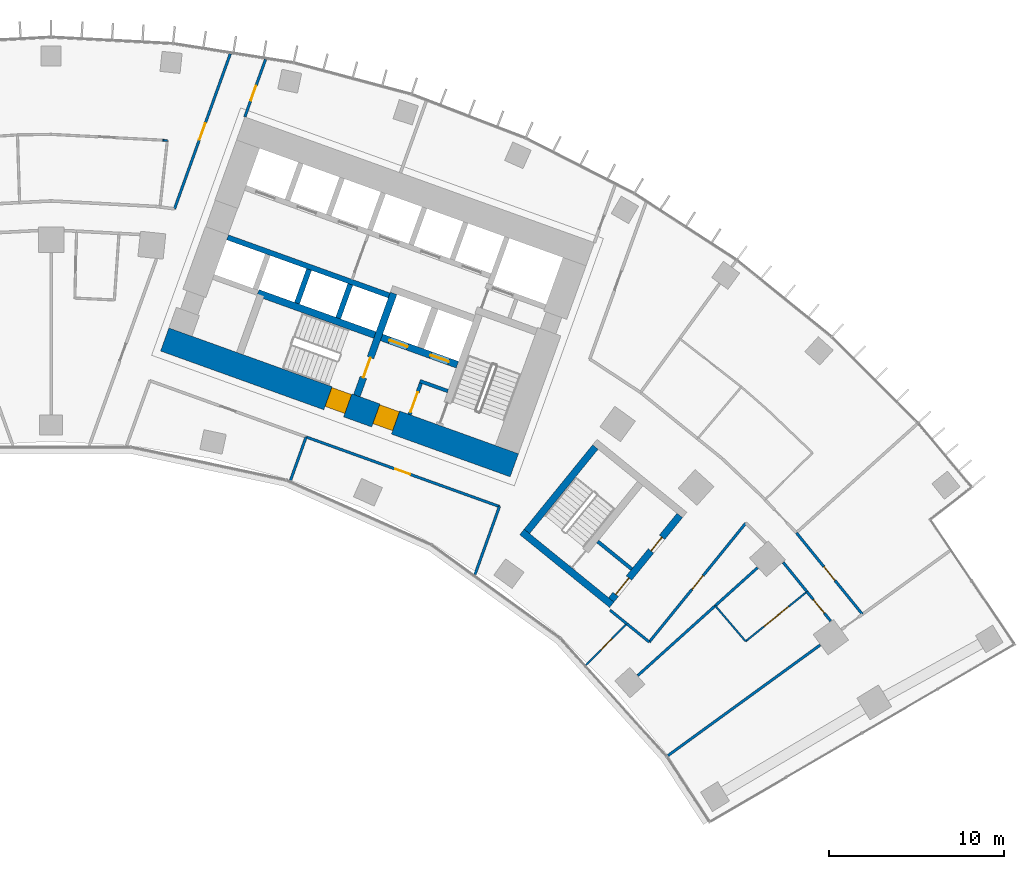
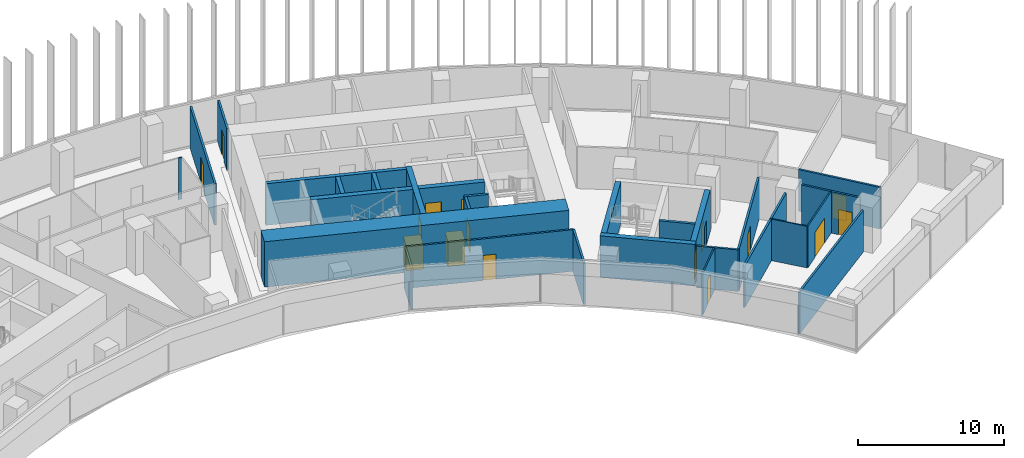
# One storey, part 19 of 23: 30 walls, 16 doors, 16 openings.
"""IFC4 building model written with IfcOpenShell, lengths in metres."""

from ifc_helpers import new_model, si_unit, direction, frame, frame_2d, origin, place, context, subcontext, project, spatial, rectangle, extrude, material, layer, layer_set, type_object, element, fill, save


model = new_model("IFC4")

# Units and contexts
model_context = context("Model", 3, precision=1e-05, world=origin(), true_north=direction((0.0, 1.0)))
body_context = subcontext(model_context, "Body", "Model", "MODEL_VIEW")
ifc_project = project(units=[si_unit("LENGTHUNIT", "METRE"), si_unit("AREAUNIT", "SQUARE_METRE"), si_unit("VOLUMEUNIT", "CUBIC_METRE"), si_unit("PLANEANGLEUNIT", "RADIAN"), si_unit("MASSUNIT", "GRAM", prefix="KILO")], contexts=[model_context])

# Site, building, storey
site_placement = place(None, origin())
site = spatial("IfcSite", under=ifc_project, at=site_placement, CompositionType="ELEMENT")
building_placement = place(site_placement, origin())
building = spatial("IfcBuilding", under=site, at=building_placement, Name="Stone Belt Terrace Tower", CompositionType="ELEMENT")
storey_placement = place(building_placement, frame((0.0, 0.0, 98.39990234375)))
storey = spatial("IfcBuildingStorey", under=building, at=storey_placement, Name="L23", CompositionType="ELEMENT", Elevation=98.39990234375)

# Wall, openings, doors
ifc_material_1 = material(Name="Concrete B80", Category="concrete")
ifc_layer_1 = layer(ifc_material_1, 1.39990234375)
ifc_layer_set_1 = layer_set([ifc_layer_1], Name="Core wall 1400 B80")
wall_type_1 = type_object("IfcWallType", Name="Core wall 1400 B80", PredefinedType="SHEAR", material=ifc_layer_set_1)
wall_1_placement = place(storey_placement, frame((6.4833984375, 49.318115234375, 0.0), z_axis=(0.0, 0.0, 1.0), x_axis=(0.940923374003, -0.33861955681, 0.0)))
wall_1 = element("IfcWall", 1, at=wall_1_placement, inside=storey, type_object=wall_type_1, Name="Core B wall concave L23", PredefinedType="SHEAR", context=body_context, shape_type="SweptSolid", body=[
    extrude(rectangle(XDim=21.199951171875, YDim=1.39990234375, at=frame_2d((10.60009765625, 0.0))), origin(), (0.0, 0.0, 1.0), 3.800048828125),
])
opening_1_placement = place(wall_1_placement, frame((12.800048828125, 0.0, 0.0)))
opening_1 = element("IfcOpeningElement", 2, at=opening_1_placement, cuts=wall_1, Name="Opening L23-C17", PredefinedType="OPENING", context=body_context, shape_type="SweptSolid", body=[
    extrude(rectangle(XDim=1.199951171875, YDim=2.10009765625, at=frame_2d((0.60009765625, 1.050048828125))), frame((0.0, 0.7099609375, 0.0), z_axis=(0.0, -1.0, 0.0), x_axis=(1.0, 0.0, 0.0)), (0.0, 0.0, 1.0), 1.419921875),
])
opening_2_placement = place(wall_1_placement, frame((9.89990234375, 0.0, 0.0)))
opening_2 = element("IfcOpeningElement", 3, at=opening_2_placement, cuts=wall_1, Name="Opening L23-C19", PredefinedType="OPENING", context=body_context, shape_type="SweptSolid", body=[
    extrude(rectangle(XDim=1.199951171875, YDim=2.10009765625, at=frame_2d((0.60009765625, 1.050048828125))), frame((0.0, 0.7099609375, 0.0), z_axis=(0.0, -1.0, 0.0), x_axis=(1.0, 0.0, 0.0)), (0.0, 0.0, 1.0), 1.419921875),
])
ifc_material_2 = material(Name="Steel door leaf", Category="steel")
door_type_1 = type_object("IfcDoorType", Name="Fire-fighting lobby door 1200", OperationType="SINGLE_SWING_LEFT", PredefinedType="DOOR", material=ifc_material_2)
door_1_placement = place(opening_1_placement, origin())
door_1 = element("IfcDoor", 4, at=door_1_placement, inside=storey, type_object=door_type_1, Name="Fire-fighting lobby door core B", OperationType="SINGLE_SWING_LEFT", OverallHeight=2.10009765625, OverallWidth=1.199951171875, PredefinedType="DOOR", context=body_context, shape_type="SweptSolid", body=[
    extrude(rectangle(XDim=1.199951171875, YDim=2.10009765625, at=frame_2d((0.60009765625, 1.050048828125))), frame((0.0, 0.655029296875, 0.0), z_axis=(0.0, -1.0, 0.0), x_axis=(1.0, 0.0, 0.0)), (0.0, 0.0, 1.0), 1.14990234375),
])
fill(opening_1, door_1)
door_type_2 = type_object("IfcDoorType", Name="Stair door 1200", OperationType="SINGLE_SWING_LEFT", PredefinedType="DOOR", material=ifc_material_2)
door_2_placement = place(opening_2_placement, origin())
door_2 = element("IfcDoor", 5, at=door_2_placement, inside=storey, type_object=door_type_2, Name="Stair 2 exit door core B", OperationType="SINGLE_SWING_RIGHT", OverallHeight=2.10009765625, OverallWidth=1.199951171875, PredefinedType="DOOR", context=body_context, shape_type="SweptSolid", body=[
    extrude(rectangle(XDim=1.199951171875, YDim=2.10009765625, at=frame_2d((0.60009765625, 1.050048828125))), frame((0.0, 0.655029296875, 0.0), z_axis=(0.0, -1.0, 0.0), x_axis=(1.0, 0.0, 0.0)), (0.0, 0.0, 1.0), 1.14990234375),
])
fill(opening_2, door_2)

# Walls
ifc_layer_2 = layer(ifc_material_1, 0.300048828125)
ifc_layer_set_2 = layer_set([ifc_layer_2], Name="Lift shaft wall 300")
wall_type_2 = type_object("IfcWallType", Name="Lift shaft wall 300", PredefinedType="SHEAR", material=ifc_layer_set_2)
wall_2_placement = place(storey_placement, frame((19.29052734375, 51.829833984375, 0.0), z_axis=(0.0, 0.0, 1.0), x_axis=(-0.940925833398, 0.338612722803, 0.0)))
element("IfcWall", 6, at=wall_2_placement, inside=storey, type_object=wall_type_2, Name="Core B wall", PredefinedType="SHEAR", context=body_context, shape_type="SweptSolid", body=[
    extrude(rectangle(XDim=9.7998046875, YDim=0.300048828125, at=frame_2d((4.89990234375, 0.0))), origin(), (0.0, 0.0, 1.0), 3.47998046875),
])
for number, where, z_axis, x_axis, name in (
    (7, (16.38134765625, 50.53857421875, 0.0), (0.0, 0.0, 1.0), (0.338681515556, 0.940901073982, 0.0), "Core B wall"),
    (8, (14.029052734375, 51.38525390625, 0.0), (0.0, 0.0, 1.0), (0.338681515556, 0.940901073982, 0.0), "Core B wall"),
):
    element("IfcWall", number, at=place(storey_placement, frame(where, z_axis=z_axis, x_axis=x_axis)), inside=storey, type_object=wall_type_2, Name=name, PredefinedType="SHEAR", context=body_context, shape_type="SweptSolid", body=[
        extrude(rectangle(XDim=2.050048828125, YDim=0.300048828125, at=frame_2d((1.02490234375, 0.0))), origin(), (0.0, 0.0, 1.0), 3.47998046875),
    ])

# Wall, opening, door
ifc_material_3 = material(Name="Gypsum board partition")
ifc_layer_3 = layer(ifc_material_3, 0.10009765625)
ifc_layer_set_3 = layer_set([ifc_layer_3], Name="PARTITION 100")
wall_type_3 = type_object("IfcWallType", Name="PARTITION 100", PredefinedType="PARTITIONING", material=ifc_layer_set_3)
wall_3_placement = place(storey_placement, frame((30.525634765625, 30.75146484375, 0.0), z_axis=(0.0, 0.0, 1.0), x_axis=(0.704663269443, 0.709541878043, 0.0)))
wall_3 = element("IfcWall", 9, at=wall_3_placement, inside=storey, type_object=wall_type_3, Name="L23/wall/i065", PredefinedType="PARTITIONING", context=body_context, shape_type="SweptSolid", body=[
    extrude(rectangle(XDim=3.302734375, YDim=0.10009765625, at=frame_2d((1.6513671875, 0.0))), origin(), (0.0, 0.0, 1.0), 3.47998046875),
])
opening_3_placement = place(wall_3_placement, frame((1.201416015625, 0.0, 0.0)))
opening_3 = element("IfcOpeningElement", 10, at=opening_3_placement, cuts=wall_3, Name="Opening D-B2-18", PredefinedType="OPENING", context=body_context, shape_type="SweptSolid", body=[
    extrude(rectangle(XDim=0.89990234375, YDim=2.10009765625, at=frame_2d((0.449951171875, 1.050048828125))), frame((0.0, 0.06005859375, 0.0), z_axis=(0.0, -1.0, 0.0), x_axis=(1.0, 0.0, 0.0)), (0.0, 0.0, 1.0), 0.1201171875),
])
ifc_material_4 = material(Name="Timber door leaf", Category="wood")
door_type_3 = type_object("IfcDoorType", Name="OFFICE DOOR 900 X 2100", OperationType="NOTDEFINED", PredefinedType="DOOR", material=ifc_material_4)
door_3_placement = place(opening_3_placement, origin())
door_3 = element("IfcDoor", 11, at=door_3_placement, inside=storey, type_object=door_type_3, Name="L23/door/i18", OperationType="SINGLE_SWING_RIGHT", OverallHeight=2.10009765625, OverallWidth=0.89990234375, PredefinedType="DOOR", context=body_context, shape_type="SweptSolid", body=[
    extrude(rectangle(XDim=0.89990234375, YDim=2.10009765625, at=frame_2d((0.449951171875, 1.050048828125))), frame((0.0, 0.02490234375, 0.0), z_axis=(0.0, -1.0, 0.0), x_axis=(1.0, 0.0, 0.0)), (0.0, 0.0, 1.0), 0.050048828125),
])
fill(opening_3, door_3)

# Wall
wall_4_placement = place(storey_placement, frame((37.89892578125, 34.125, 0.0), z_axis=(0.0, 0.0, 1.0), x_axis=(0.649337184212, -0.760500638527, 0.0)))
element("IfcWall", 12, at=wall_4_placement, inside=storey, type_object=wall_type_3, Name="L23/wall/i068", PredefinedType="PARTITIONING", context=body_context, shape_type="SweptSolid", body=[
    extrude(rectangle(XDim=2.670654296875, YDim=0.10009765625, at=frame_2d((1.33544921875, 0.0))), origin(), (0.0, 0.0, 1.0), 3.47998046875),
])

# Wall, opening, door
wall_5_placement = place(storey_placement, frame((39.633056640625, 32.093994140625, 0.0), z_axis=(0.0, 0.0, 1.0), x_axis=(0.777214552356, 0.629235678904, 0.0)))
wall_5 = element("IfcWall", 13, at=wall_5_placement, inside=storey, type_object=wall_type_3, Name="L23/wall/i069", PredefinedType="PARTITIONING", context=body_context, shape_type="SweptSolid", body=[
    extrude(rectangle(XDim=4.500732421875, YDim=0.10009765625, at=frame_2d((2.25048828125, 0.0))), origin(), (0.0, 0.0, 1.0), 3.47998046875),
])
opening_4_placement = place(wall_5_placement, frame((1.350341796875, 0.0, 0.0)))
opening_4 = element("IfcOpeningElement", 14, at=opening_4_placement, cuts=wall_5, Name="Opening D-B2-20", PredefinedType="OPENING", context=body_context, shape_type="SweptSolid", body=[
    extrude(rectangle(XDim=1.800048828125, YDim=2.10009765625, at=frame_2d((0.89990234375, 1.050048828125))), frame((0.0, 0.06005859375, 0.0), z_axis=(0.0, -1.0, 0.0), x_axis=(1.0, 0.0, 0.0)), (0.0, 0.0, 1.0), 0.1201171875),
])
door_type_4 = type_object("IfcDoorType", Name="DOUBLE DOOR 1800 X 2100", OperationType="DOUBLE_DOOR_SINGLE_SWING", PredefinedType="DOOR", material=ifc_material_4)
door_4_placement = place(opening_4_placement, origin())
door_4 = element("IfcDoor", 15, at=door_4_placement, inside=storey, type_object=door_type_4, Name="L23/door/i20", OperationType="DOUBLE_DOOR_SINGLE_SWING", OverallHeight=2.10009765625, OverallWidth=1.800048828125, PredefinedType="DOOR", context=body_context, shape_type="SweptSolid", body=[
    extrude(rectangle(XDim=1.800048828125, YDim=2.10009765625, at=frame_2d((0.89990234375, 1.050048828125))), frame((0.0, 0.02490234375, 0.0), z_axis=(0.0, -1.0, 0.0), x_axis=(1.0, 0.0, 0.0)), (0.0, 0.0, 1.0), 0.050048828125),
])
fill(opening_4, door_4)

# Wall
wall_6_placement = place(storey_placement, frame((6.62890625, 60.6640625, 0.0), z_axis=(0.0, 0.0, 1.0), x_axis=(-0.994279729671, 0.106807392836, 0.0)))
element("IfcWall", 16, at=wall_6_placement, inside=storey, type_object=wall_type_3, Name="L23/wall/i096", PredefinedType="PARTITIONING", context=body_context, shape_type="SweptSolid", body=[
    extrude(rectangle(XDim=0.25146484375, YDim=0.10009765625, at=frame_2d((0.125732421875, 0.0))), origin(), (0.0, 0.0, 1.0), 3.47998046875),
])

# Wall, opening, door
ifc_layer_4 = layer(ifc_material_3, 0.14990234375)
ifc_layer_set_4 = layer_set([ifc_layer_4], Name="PARTITION 150 EI 60")
wall_type_4 = type_object("IfcWallType", Name="PARTITION 150 EI 60", PredefinedType="PARTITIONING", material=ifc_layer_set_4)
wall_7_placement = place(storey_placement, frame((12.23486328125, 65.297119140625, 0.0), z_axis=(0.0, 0.0, 1.0), x_axis=(-0.338853532575, -0.94083913793, 0.0)))
wall_7 = element("IfcWall", 17, at=wall_7_placement, inside=storey, type_object=wall_type_4, Name="L23/wall/i017", PredefinedType="PARTITIONING", context=body_context, shape_type="SweptSolid", body=[
    extrude(rectangle(XDim=3.482177734375, YDim=0.14990234375, at=frame_2d((1.7412109375, 0.0))), origin(), (0.0, 0.0, 1.0), 3.47998046875),
])
opening_5_placement = place(wall_7_placement, frame((1.58837890625, 0.0, 0.0)))
opening_5 = element("IfcOpeningElement", 18, at=opening_5_placement, cuts=wall_7, Name="Opening D-B2-07", PredefinedType="OPENING", context=body_context, shape_type="SweptSolid", body=[
    extrude(rectangle(XDim=0.89990234375, YDim=2.10009765625, at=frame_2d((0.449951171875, 1.050048828125))), frame((0.0, 0.0849609375, 0.0), z_axis=(0.0, -1.0, 0.0), x_axis=(1.0, 0.0, 0.0)), (0.0, 0.0, 1.0), 0.169921875),
])
door_5_placement = place(opening_5_placement, origin())
door_5 = element("IfcDoor", 19, at=door_5_placement, inside=storey, type_object=door_type_3, Name="L23/door/i07", OperationType="SINGLE_SWING_RIGHT", OverallHeight=2.10009765625, OverallWidth=0.89990234375, PredefinedType="DOOR", context=body_context, shape_type="SweptSolid", body=[
    extrude(rectangle(XDim=0.89990234375, YDim=2.10009765625, at=frame_2d((0.449951171875, 1.050048828125))), frame((0.0, 0.02490234375, 0.0), z_axis=(0.0, -1.0, 0.0), x_axis=(1.0, 0.0, 0.0)), (0.0, 0.0, 1.0), 0.050048828125),
])
fill(opening_5, door_5)

wall_8_placement = place(storey_placement, frame((7.0390625, 56.76708984375, 0.0), z_axis=(0.0, 0.0, 1.0), x_axis=(0.338637655092, 0.940916860596, 0.0)))
wall_8 = element("IfcWall", 20, at=wall_8_placement, inside=storey, type_object=wall_type_4, Name="L23/wall/i019", PredefinedType="PARTITIONING", context=body_context, shape_type="SweptSolid", body=[
    extrude(rectangle(XDim=9.40478515625, YDim=0.14990234375, at=frame_2d((4.702392578125, 0.0))), origin(), (0.0, 0.0, 1.0), 3.47998046875),
])
opening_6_placement = place(wall_8_placement, frame((4.202392578125, 0.0, 0.0)))
opening_6 = element("IfcOpeningElement", 21, at=opening_6_placement, cuts=wall_8, Name="Opening D-B2-29", PredefinedType="OPENING", context=body_context, shape_type="SweptSolid", body=[
    extrude(rectangle(XDim=1.0, YDim=2.10009765625, at=frame_2d((0.5, 1.050048828125))), frame((0.0, 0.0849609375, 0.0), z_axis=(0.0, -1.0, 0.0), x_axis=(1.0, 0.0, 0.0)), (0.0, 0.0, 1.0), 0.169921875),
])
ifc_material_5 = material(Name="Timber fire door leaf", Category="wood")
door_type_5 = type_object("IfcDoorType", Name="TENANCY ENTRANCE DOOR 1000 X 2100", OperationType="NOTDEFINED", PredefinedType="DOOR", material=ifc_material_5)
door_6_placement = place(opening_6_placement, origin())
door_6 = element("IfcDoor", 22, at=door_6_placement, inside=storey, type_object=door_type_5, Name="L23/door/i29", OperationType="SINGLE_SWING_RIGHT", OverallHeight=2.10009765625, OverallWidth=1.0, PredefinedType="DOOR", context=body_context, shape_type="SweptSolid", body=[
    extrude(rectangle(XDim=1.0, YDim=2.10009765625, at=frame_2d((0.5, 1.050048828125))), frame((0.0, 0.02490234375, 0.0), z_axis=(0.0, -1.0, 0.0), x_axis=(1.0, 0.0, 0.0)), (0.0, 0.0, 1.0), 0.050048828125),
])
fill(opening_6, door_6)

# Wall
wall_9_placement = place(storey_placement, frame((24.1865234375, 35.90185546875, 0.0), z_axis=(0.0, 0.0, 1.0), x_axis=(0.338422574246, 0.940994240812, 0.0)))
element("IfcWall", 23, at=wall_9_placement, inside=storey, type_object=wall_type_4, Name="L23/wall/i020", PredefinedType="PARTITIONING", context=body_context, shape_type="SweptSolid", body=[
    extrude(rectangle(XDim=4.135009765625, YDim=0.14990234375, at=frame_2d((2.0673828125, 0.0))), origin(), (0.0, 0.0, 1.0), 3.47998046875),
])

# Wall, opening, door
wall_10_placement = place(storey_placement, frame((25.583984375, 39.787109375, 0.0), z_axis=(0.0, 0.0, 1.0), x_axis=(-0.94090942951, 0.33865830192, 0.0)))
wall_10 = element("IfcWall", 24, at=wall_10_placement, inside=storey, type_object=wall_type_4, Name="L23/wall/i024", PredefinedType="PARTITIONING", context=body_context, shape_type="SweptSolid", body=[
    extrude(rectangle(XDim=11.731201171875, YDim=0.14990234375, at=frame_2d((5.86572265625, 0.0))), origin(), (0.0, 0.0, 1.0), 3.47998046875),
])
opening_7_placement = place(wall_10_placement, frame((5.41552734375, 0.0, 0.0)))
opening_7 = element("IfcOpeningElement", 25, at=opening_7_placement, cuts=wall_10, Name="Opening D-B2-06", PredefinedType="OPENING", context=body_context, shape_type="SweptSolid", body=[
    extrude(rectangle(XDim=0.89990234375, YDim=2.10009765625, at=frame_2d((0.449951171875, 1.050048828125))), frame((0.0, 0.0849609375, 0.0), z_axis=(0.0, -1.0, 0.0), x_axis=(1.0, 0.0, 0.0)), (0.0, 0.0, 1.0), 0.169921875),
])
door_7_placement = place(opening_7_placement, origin())
door_7 = element("IfcDoor", 26, at=door_7_placement, inside=storey, type_object=door_type_3, Name="L23/door/i06", OperationType="SINGLE_SWING_RIGHT", OverallHeight=2.10009765625, OverallWidth=0.89990234375, PredefinedType="DOOR", context=body_context, shape_type="SweptSolid", body=[
    extrude(rectangle(XDim=0.89990234375, YDim=2.10009765625, at=frame_2d((0.449951171875, 1.050048828125))), frame((0.0, 0.02490234375, 0.0), z_axis=(0.0, -1.0, 0.0), x_axis=(1.0, 0.0, 0.0)), (0.0, 0.0, 1.0), 0.050048828125),
])
fill(opening_7, door_7)

# Walls
wall_11_placement = place(storey_placement, frame((14.552001953125, 43.758056640625, 0.0), z_axis=(0.0, 0.0, 1.0), x_axis=(-0.3386898551, -0.940898072084, 0.0)))
element("IfcWall", 27, at=wall_11_placement, inside=storey, type_object=wall_type_4, Name="L23/wall/i025", PredefinedType="PARTITIONING", context=body_context, shape_type="SweptSolid", body=[
    extrude(rectangle(XDim=2.62744140625, YDim=0.14990234375, at=frame_2d((1.313720703125, 0.0))), origin(), (0.0, 0.0, 1.0), 3.47998046875),
])
wall_12_placement = place(storey_placement, frame((35.192138671875, 25.568115234375, 0.0), z_axis=(0.0, 0.0, 1.0), x_axis=(0.809024841759, 0.587774451143, 0.0)))
element("IfcWall", 28, at=wall_12_placement, inside=storey, type_object=wall_type_4, Name="L23/wall/i050", PredefinedType="PARTITIONING", context=body_context, shape_type="SweptSolid", body=[
    extrude(rectangle(XDim=10.745361328125, YDim=0.14990234375, at=frame_2d((5.37255859375, 0.0))), origin(), (0.0, 0.0, 1.0), 3.47998046875),
])

# Wall, opening, door
wall_13_placement = place(storey_placement, frame((44.4853515625, 33.253662109375, 0.0), z_axis=(0.0, 0.0, 1.0), x_axis=(-0.629100575786, 0.777323912887, 0.0)))
wall_13 = element("IfcWall", 29, at=wall_13_placement, inside=storey, type_object=wall_type_4, Name="L23/wall/i057", PredefinedType="PARTITIONING", context=body_context, shape_type="SweptSolid", body=[
    extrude(rectangle(XDim=2.15771484375, YDim=0.14990234375, at=frame_2d((1.078857421875, 0.0))), origin(), (0.0, 0.0, 1.0), 3.47998046875),
])
opening_8_placement = place(wall_13_placement, frame((0.578857421875, 0.0, 0.0)))
opening_8 = element("IfcOpeningElement", 30, at=opening_8_placement, cuts=wall_13, Name="Opening D-B2-19", PredefinedType="OPENING", context=body_context, shape_type="SweptSolid", body=[
    extrude(rectangle(XDim=1.0, YDim=2.10009765625, at=frame_2d((0.5, 1.050048828125))), frame((0.0, 0.0849609375, 0.0), z_axis=(0.0, -1.0, 0.0), x_axis=(1.0, 0.0, 0.0)), (0.0, 0.0, 1.0), 0.169921875),
])
door_8_placement = place(opening_8_placement, origin())
door_8 = element("IfcDoor", 31, at=door_8_placement, inside=storey, type_object=door_type_5, Name="L23/door/i19", OperationType="SINGLE_SWING_RIGHT", OverallHeight=2.10009765625, OverallWidth=1.0, PredefinedType="DOOR", context=body_context, shape_type="SweptSolid", body=[
    extrude(rectangle(XDim=1.0, YDim=2.10009765625, at=frame_2d((0.5, 1.050048828125))), frame((0.0, 0.02490234375, 0.0), z_axis=(0.0, -1.0, 0.0), x_axis=(1.0, 0.0, 0.0)), (0.0, 0.0, 1.0), 0.050048828125),
])
fill(opening_8, door_8)

# Wall
wall_14_placement = place(storey_placement, frame((43.135009765625, 34.922119140625, 0.0), z_axis=(0.0, 0.0, 1.0), x_axis=(-0.6292632951, 0.777192193373, 0.0)))
element("IfcWall", 32, at=wall_14_placement, inside=storey, type_object=wall_type_4, Name="L23/wall/i058", PredefinedType="PARTITIONING", context=body_context, shape_type="SweptSolid", body=[
    extrude(rectangle(XDim=2.15869140625, YDim=0.14990234375, at=frame_2d((1.079345703125, 0.0))), origin(), (0.0, 0.0, 1.0), 3.47998046875),
])

# Wall, opening, door
wall_15_placement = place(storey_placement, frame((42.527099609375, 38.2900390625, 0.0), z_axis=(0.0, 0.0, 1.0), x_axis=(0.629322532513, -0.77714422733, 0.0)))
wall_15 = element("IfcWall", 33, at=wall_15_placement, inside=storey, type_object=wall_type_4, Name="L23/wall/i061", PredefinedType="PARTITIONING", context=body_context, shape_type="SweptSolid", body=[
    extrude(rectangle(XDim=5.98876953125, YDim=0.14990234375, at=frame_2d((2.994384765625, 0.0))), origin(), (0.0, 0.0, 1.0), 3.47998046875),
])
opening_9_placement = place(wall_15_placement, frame((2.494384765625, 0.0, 0.0)))
opening_9 = element("IfcOpeningElement", 34, at=opening_9_placement, cuts=wall_15, Name="Opening D-B2-25", PredefinedType="OPENING", context=body_context, shape_type="SweptSolid", body=[
    extrude(rectangle(XDim=1.0, YDim=2.10009765625, at=frame_2d((0.5, 1.050048828125))), frame((0.0, 0.0849609375, 0.0), z_axis=(0.0, -1.0, 0.0), x_axis=(1.0, 0.0, 0.0)), (0.0, 0.0, 1.0), 0.169921875),
])
door_9_placement = place(opening_9_placement, origin())
door_9 = element("IfcDoor", 35, at=door_9_placement, inside=storey, type_object=door_type_5, Name="L23/door/i25", OperationType="SINGLE_SWING_RIGHT", OverallHeight=2.10009765625, OverallWidth=1.0, PredefinedType="DOOR", context=body_context, shape_type="SweptSolid", body=[
    extrude(rectangle(XDim=1.0, YDim=2.10009765625, at=frame_2d((0.5, 1.050048828125))), frame((0.0, 0.02490234375, 0.0), z_axis=(0.0, -1.0, 0.0), x_axis=(1.0, 0.0, 0.0)), (0.0, 0.0, 1.0), 0.050048828125),
])
fill(opening_9, door_9)

wall_16_placement = place(storey_placement, frame((39.64599609375, 38.84912109375, 0.0), z_axis=(0.0, 0.0, 1.0), x_axis=(-0.630141823003, -0.776480059566, 0.0)))
wall_16 = element("IfcWall", 36, at=wall_16_placement, inside=storey, type_object=wall_type_4, Name="L23/wall/i062", PredefinedType="PARTITIONING", context=body_context, shape_type="SweptSolid", body=[
    extrude(rectangle(XDim=8.748779296875, YDim=0.14990234375, at=frame_2d((4.37451171875, 0.0))), origin(), (0.0, 0.0, 1.0), 3.47998046875),
])
opening_10_placement = place(wall_16_placement, frame((3.874267578125, 0.0, 0.0)))
opening_10 = element("IfcOpeningElement", 37, at=opening_10_placement, cuts=wall_16, Name="Opening D-B2-17", PredefinedType="OPENING", context=body_context, shape_type="SweptSolid", body=[
    extrude(rectangle(XDim=1.0, YDim=2.10009765625, at=frame_2d((0.5, 1.050048828125))), frame((0.0, 0.0849609375, 0.0), z_axis=(0.0, -1.0, 0.0), x_axis=(1.0, 0.0, 0.0)), (0.0, 0.0, 1.0), 0.169921875),
])
door_10_placement = place(opening_10_placement, origin())
door_10 = element("IfcDoor", 38, at=door_10_placement, inside=storey, type_object=door_type_5, Name="L23/door/i17", OperationType="SINGLE_SWING_RIGHT", OverallHeight=2.10009765625, OverallWidth=1.0, PredefinedType="DOOR", context=body_context, shape_type="SweptSolid", body=[
    extrude(rectangle(XDim=1.0, YDim=2.10009765625, at=frame_2d((0.5, 1.050048828125))), frame((0.0, 0.02490234375, 0.0), z_axis=(0.0, -1.0, 0.0), x_axis=(1.0, 0.0, 0.0)), (0.0, 0.0, 1.0), 0.050048828125),
])
fill(opening_10, door_10)

# Walls
wall_17_placement = place(storey_placement, frame((34.133056640625, 32.055908203125, 0.0), z_axis=(0.0, 0.0, 1.0), x_axis=(-0.776109485964, 0.630598180933, 0.0)))
element("IfcWall", 39, at=wall_17_placement, inside=storey, type_object=wall_type_4, Name="L23/wall/i063", PredefinedType="PARTITIONING", context=body_context, shape_type="SweptSolid", body=[
    extrude(rectangle(XDim=1.654296875, YDim=0.14990234375, at=frame_2d((0.8271484375, 0.0))), origin(), (0.0, 0.0, 1.0), 3.47998046875),
])
wall_18_placement = place(storey_placement, frame((32.85693359375, 33.091064453125, 0.0), z_axis=(0.0, 0.0, 1.0), x_axis=(-0.776041989733, 0.63068124292, 0.0)))
element("IfcWall", 40, at=wall_18_placement, inside=storey, type_object=wall_type_4, Name="L23/wall/i064", PredefinedType="PARTITIONING", context=body_context, shape_type="SweptSolid", body=[
    extrude(rectangle(XDim=1.24462890625, YDim=0.14990234375, at=frame_2d((0.622314453125, 0.0))), origin(), (0.0, 0.0, 1.0), 3.47998046875),
])
wall_19_placement = place(storey_placement, frame((37.903076171875, 34.12890625, 0.0), z_axis=(0.0, 0.0, 1.0), x_axis=(-0.743104504011, -0.669175385171, 0.0)))
element("IfcWall", 41, at=wall_19_placement, inside=storey, type_object=wall_type_4, Name="L23/wall/i066", PredefinedType="PARTITIONING", context=body_context, shape_type="SweptSolid", body=[
    extrude(rectangle(XDim=5.9541015625, YDim=0.14990234375, at=frame_2d((2.97705078125, 0.0))), origin(), (0.0, 0.0, 1.0), 3.47998046875),
])
wall_20_placement = place(storey_placement, frame((40.311767578125, 36.29736328125, 0.0), z_axis=(0.0, 0.0, 1.0), x_axis=(-0.743245629646, -0.669018635026, 0.0)))
element("IfcWall", 42, at=wall_20_placement, inside=storey, type_object=wall_type_4, Name="L23/wall/i067", PredefinedType="PARTITIONING", context=body_context, shape_type="SweptSolid", body=[
    extrude(rectangle(XDim=3.2529296875, YDim=0.14990234375, at=frame_2d((1.62646484375, 0.0))), origin(), (0.0, 0.0, 1.0), 3.47998046875),
])
ifc_material_6 = material(Name="Concrete masonry block", Category="masonry")
ifc_layer_5 = layer(ifc_material_6, 0.199951171875)
ifc_layer_set_5 = layer_set([ifc_layer_5], Name="Rated lobby wall 200")
wall_type_5 = type_object("IfcWallType", Name="Rated lobby wall 200", PredefinedType="PARTITIONING", material=ifc_layer_set_5)
wall_21_placement = place(storey_placement, frame((22.640625, 46.373046875, 0.0), z_axis=(0.0, 0.0, 1.0), x_axis=(-0.940966110313, 0.338500781747, 0.0)))
element("IfcWall", 43, at=wall_21_placement, inside=storey, type_object=wall_type_5, Name="Core B wall", PredefinedType="PARTITIONING", context=body_context, shape_type="SweptSolid", body=[
    extrude(rectangle(XDim=1.699951171875, YDim=0.199951171875, at=frame_2d((0.85009765625, 0.0))), origin(), (0.0, 0.0, 1.0), 3.47998046875),
])

# Wall, opening, door
wall_22_placement = place(storey_placement, frame((20.4580078125, 45.032958984375, 0.0), z_axis=(0.0, 0.0, 1.0), x_axis=(0.338573865316, 0.940939816208, 0.0)))
wall_22 = element("IfcWall", 44, at=wall_22_placement, inside=storey, type_object=wall_type_5, Name="Core B wall", PredefinedType="PARTITIONING", context=body_context, shape_type="SweptSolid", body=[
    extrude(rectangle(XDim=1.900146484375, YDim=0.199951171875, at=frame_2d((0.9501953125, 0.0))), origin(), (0.0, 0.0, 1.0), 3.47998046875),
])
opening_11_placement = place(wall_22_placement, frame((0.14990234375, 0.0, 0.0)))
opening_11 = element("IfcOpeningElement", 45, at=opening_11_placement, cuts=wall_22, Name="Opening L23-C16", PredefinedType="OPENING", context=body_context, shape_type="SweptSolid", body=[
    extrude(rectangle(XDim=1.199951171875, YDim=2.10009765625, at=frame_2d((0.60009765625, 1.050048828125))), frame((0.0, 0.10986328125, 0.0), z_axis=(0.0, -1.0, 0.0), x_axis=(1.0, 0.0, 0.0)), (0.0, 0.0, 1.0), 0.219970703125),
])
door_11_placement = place(opening_11_placement, origin())
door_11 = element("IfcDoor", 46, at=door_11_placement, inside=storey, type_object=door_type_2, Name="Stair airlock door core B", OperationType="SINGLE_SWING_LEFT", OverallHeight=2.10009765625, OverallWidth=1.199951171875, PredefinedType="DOOR", context=body_context, shape_type="SweptSolid", body=[
    extrude(rectangle(XDim=1.199951171875, YDim=2.10009765625, at=frame_2d((0.60009765625, 1.050048828125))), frame((0.0, 0.02490234375, 0.0), z_axis=(0.0, -1.0, 0.0), x_axis=(1.0, 0.0, 0.0)), (0.0, 0.0, 1.0), 0.050048828125),
])
fill(opening_11, door_11)

# Wall
wall_23_placement = place(storey_placement, frame((31.190673828125, 37.79296875, 0.0), z_axis=(0.0, 0.0, 1.0), x_axis=(0.776370830301, -0.630276394813, 0.0)))
element("IfcWall", 47, at=wall_23_placement, inside=storey, type_object=wall_type_5, Name="Exit stair ST3B wall", PredefinedType="PARTITIONING", context=body_context, shape_type="SweptSolid", body=[
    extrude(rectangle(XDim=2.5, YDim=0.199951171875, at=frame_2d((1.25, 0.0))), origin(), (0.0, 0.0, 1.0), 3.47998046875),
])

# Wall, openings, doors
ifc_layer_6 = layer(ifc_material_1, 0.39990234375)
ifc_layer_set_6 = layer_set([ifc_layer_6], Name="Stair enclosure wall 400")
wall_type_6 = type_object("IfcWallType", Name="Stair enclosure wall 400", PredefinedType="SHEAR", material=ifc_layer_set_6)
wall_24_placement = place(storey_placement, frame((23.182373046875, 47.87841796875, 0.0), z_axis=(0.0, 0.0, 1.0), x_axis=(-0.940921101762, 0.338625870628, 0.0)))
wall_24 = element("IfcWall", 48, at=wall_24_placement, inside=storey, type_object=wall_type_6, Name="Core B wall", PredefinedType="SHEAR", context=body_context, shape_type="SweptSolid", body=[
    extrude(rectangle(XDim=12.10009765625, YDim=0.39990234375, at=frame_2d((6.050048828125, 0.0))), origin(), (0.0, 0.0, 1.0), 3.47998046875),
])
opening_12_placement = place(wall_24_placement, frame((0.52001953125, 0.0, 0.0)))
opening_12 = element("IfcOpeningElement", 49, at=opening_12_placement, cuts=wall_24, Name="Opening L23-LD16", PredefinedType="OPENING", context=body_context, shape_type="SweptSolid", body=[
    extrude(rectangle(XDim=1.10009765625, YDim=2.199951171875, at=frame_2d((0.550048828125, 1.10009765625))), frame((0.0, 0.2099609375, 0.0), z_axis=(0.0, -1.0, 0.0), x_axis=(1.0, 0.0, 0.0)), (0.0, 0.0, 1.0), 0.419921875),
])
opening_13_placement = place(wall_24_placement, frame((3.02001953125, 0.0, 0.0)))
opening_13 = element("IfcOpeningElement", 50, at=opening_13_placement, cuts=wall_24, Name="Opening L23-LD17", PredefinedType="OPENING", context=body_context, shape_type="SweptSolid", body=[
    extrude(rectangle(XDim=1.10009765625, YDim=2.199951171875, at=frame_2d((0.550048828125, 1.10009765625))), frame((0.0, 0.2099609375, 0.0), z_axis=(0.0, -1.0, 0.0), x_axis=(1.0, 0.0, 0.0)), (0.0, 0.0, 1.0), 0.419921875),
])
ifc_material_7 = material(Name="Stainless steel door leaf", Category="steel")
door_type_6 = type_object("IfcDoorType", Name="Landing door 1100", OperationType="SLIDING_TO_LEFT", PredefinedType="DOOR", material=ifc_material_7)
door_12_placement = place(opening_12_placement, origin())
door_12 = element("IfcDoor", 51, at=door_12_placement, inside=storey, type_object=door_type_6, Name="Landing door FF1 core B", OperationType="SLIDING_TO_LEFT", OverallHeight=2.199951171875, OverallWidth=1.10009765625, PredefinedType="DOOR", context=body_context, shape_type="SweptSolid", body=[
    extrude(rectangle(XDim=1.10009765625, YDim=2.199951171875, at=frame_2d((0.550048828125, 1.10009765625))), frame((0.0, 0.02490234375, 0.0), z_axis=(0.0, -1.0, 0.0), x_axis=(1.0, 0.0, 0.0)), (0.0, 0.0, 1.0), 0.050048828125),
])
fill(opening_12, door_12)
door_13_placement = place(opening_13_placement, origin())
door_13 = element("IfcDoor", 52, at=door_13_placement, inside=storey, type_object=door_type_6, Name="Landing door FF2 core B", OperationType="SLIDING_TO_LEFT", OverallHeight=2.199951171875, OverallWidth=1.10009765625, PredefinedType="DOOR", context=body_context, shape_type="SweptSolid", body=[
    extrude(rectangle(XDim=1.10009765625, YDim=2.199951171875, at=frame_2d((0.550048828125, 1.10009765625))), frame((0.0, 0.02490234375, 0.0), z_axis=(0.0, -1.0, 0.0), x_axis=(1.0, 0.0, 0.0)), (0.0, 0.0, 1.0), 0.050048828125),
])
fill(opening_13, door_13)

# Wall, opening, door
wall_25_placement = place(storey_placement, frame((17.447021484375, 46.116455078125, 0.0), z_axis=(0.0, 0.0, 1.0), x_axis=(0.33860791464, 0.940927563707, 0.0)))
wall_25 = element("IfcWall", 53, at=wall_25_placement, inside=storey, type_object=wall_type_6, Name="Core B wall", PredefinedType="SHEAR", context=body_context, shape_type="SweptSolid", body=[
    extrude(rectangle(XDim=6.199951171875, YDim=0.39990234375, at=frame_2d((3.10009765625, 0.0))), origin(), (0.0, 0.0, 1.0), 3.47998046875),
])
opening_14_placement = place(wall_25_placement, frame((1.10009765625, 0.0, 0.0)))
opening_14 = element("IfcOpeningElement", 54, at=opening_14_placement, cuts=wall_25, Name="Opening L23-C18", PredefinedType="OPENING", context=body_context, shape_type="SweptSolid", body=[
    extrude(rectangle(XDim=1.199951171875, YDim=2.10009765625, at=frame_2d((0.60009765625, 1.050048828125))), frame((0.0, 0.2099609375, 0.0), z_axis=(0.0, -1.0, 0.0), x_axis=(1.0, 0.0, 0.0)), (0.0, 0.0, 1.0), 0.419921875),
])
door_14_placement = place(opening_14_placement, origin())
door_14 = element("IfcDoor", 55, at=door_14_placement, inside=storey, type_object=door_type_2, Name="Stair 2 door core B", OperationType="SINGLE_SWING_LEFT", OverallHeight=2.10009765625, OverallWidth=1.199951171875, PredefinedType="DOOR", context=body_context, shape_type="SweptSolid", body=[
    extrude(rectangle(XDim=1.199951171875, YDim=2.10009765625, at=frame_2d((0.60009765625, 1.050048828125))), frame((0.0, 0.02490234375, 0.0), z_axis=(0.0, -1.0, 0.0), x_axis=(1.0, 0.0, 0.0)), (0.0, 0.0, 1.0), 0.050048828125),
])
fill(opening_14, door_14)

# Walls
wall_26_placement = place(storey_placement, frame((26.868408203125, 38.3388671875, 0.0), z_axis=(0.0, 0.0, 1.0), x_axis=(0.776428452498, -0.630205409491, 0.0)))
element("IfcWall", 56, at=wall_26_placement, inside=storey, type_object=wall_type_6, Name="Exit stair ST3B wall", PredefinedType="SHEAR", context=body_context, shape_type="SweptSolid", body=[
    extrude(rectangle(XDim=6.60009765625, YDim=0.39990234375, at=frame_2d((3.300048828125, 0.0))), origin(), (0.0, 0.0, 1.0), 3.47998046875),
])
wall_27_placement = place(storey_placement, frame((27.149658203125, 38.3681640625, 0.0), z_axis=(0.0, 0.0, 1.0), x_axis=(0.630211551729, 0.776423466973, 0.0)))
element("IfcWall", 57, at=wall_27_placement, inside=storey, type_object=wall_type_6, Name="Exit stair ST3B wall", PredefinedType="SHEAR", context=body_context, shape_type="SweptSolid", body=[
    extrude(rectangle(XDim=6.199951171875, YDim=0.39990234375, at=frame_2d((3.10009765625, 0.0))), origin(), (0.0, 0.0, 1.0), 3.47998046875),
])

# Wall, openings, doors
wall_28_placement = place(storey_placement, frame((31.963623046875, 34.460693359375, 0.0), z_axis=(0.0, 0.0, 1.0), x_axis=(0.630192283849, 0.776439106033, 0.0)))
wall_28 = element("IfcWall", 58, at=wall_28_placement, inside=storey, type_object=wall_type_6, Name="Exit stair ST3B wall", PredefinedType="SHEAR", context=body_context, shape_type="SweptSolid", body=[
    extrude(rectangle(XDim=6.199951171875, YDim=0.39990234375, at=frame_2d((3.10009765625, 0.0))), origin(), (0.0, 0.0, 1.0), 3.47998046875),
])
opening_15_placement = place(wall_28_placement, frame((0.39990234375, 0.0, 0.0)))
opening_15 = element("IfcOpeningElement", 59, at=opening_15_placement, cuts=wall_28, Name="Opening L23-C25", PredefinedType="OPENING", context=body_context, shape_type="SweptSolid", body=[
    extrude(rectangle(XDim=1.199951171875, YDim=2.10009765625, at=frame_2d((0.60009765625, 1.050048828125))), frame((0.0, 0.2099609375, 0.0), z_axis=(0.0, -1.0, 0.0), x_axis=(1.0, 0.0, 0.0)), (0.0, 0.0, 1.0), 0.419921875),
])
opening_16_placement = place(wall_28_placement, frame((3.60009765625, 0.0, 0.0)))
opening_16 = element("IfcOpeningElement", 60, at=opening_16_placement, cuts=wall_28, Name="Opening L23-C26", PredefinedType="OPENING", context=body_context, shape_type="SweptSolid", body=[
    extrude(rectangle(XDim=1.0, YDim=2.10009765625, at=frame_2d((0.5, 1.050048828125))), frame((0.0, 0.2099609375, 0.0), z_axis=(0.0, -1.0, 0.0), x_axis=(1.0, 0.0, 0.0)), (0.0, 0.0, 1.0), 0.419921875),
])
door_type_7 = type_object("IfcDoorType", Name="Core room door 1000", OperationType="SINGLE_SWING_LEFT", PredefinedType="DOOR", material=ifc_material_4)
door_15_placement = place(opening_16_placement, origin())
door_15 = element("IfcDoor", 61, at=door_15_placement, inside=storey, type_object=door_type_7, Name="Door to stair pressurisation plant room ST3B", OperationType="SINGLE_SWING_RIGHT", OverallHeight=2.10009765625, OverallWidth=1.0, PredefinedType="DOOR", context=body_context, shape_type="SweptSolid", body=[
    extrude(rectangle(XDim=1.0, YDim=2.10009765625, at=frame_2d((0.5, 1.050048828125))), frame((0.0, 0.02490234375, 0.0), z_axis=(0.0, -1.0, 0.0), x_axis=(1.0, 0.0, 0.0)), (0.0, 0.0, 1.0), 0.050048828125),
])
fill(opening_16, door_15)
door_type_8 = type_object("IfcDoorType", Name="Stair airlock door 1200", OperationType="SINGLE_SWING_LEFT", PredefinedType="DOOR", material=ifc_material_2)
door_16_placement = place(opening_15_placement, origin())
door_16 = element("IfcDoor", 62, at=door_16_placement, inside=storey, type_object=door_type_8, Name="Stair airlock door ST3B", OperationType="SINGLE_SWING_RIGHT", OverallHeight=2.10009765625, OverallWidth=1.199951171875, PredefinedType="DOOR", context=body_context, shape_type="SweptSolid", body=[
    extrude(rectangle(XDim=1.199951171875, YDim=2.10009765625, at=frame_2d((0.60009765625, 1.050048828125))), frame((0.0, 0.02490234375, 0.0), z_axis=(0.0, -1.0, 0.0), x_axis=(1.0, 0.0, 0.0)), (0.0, 0.0, 1.0), 0.050048828125),
])
fill(opening_15, door_16)

save(model, "model.ifc")
